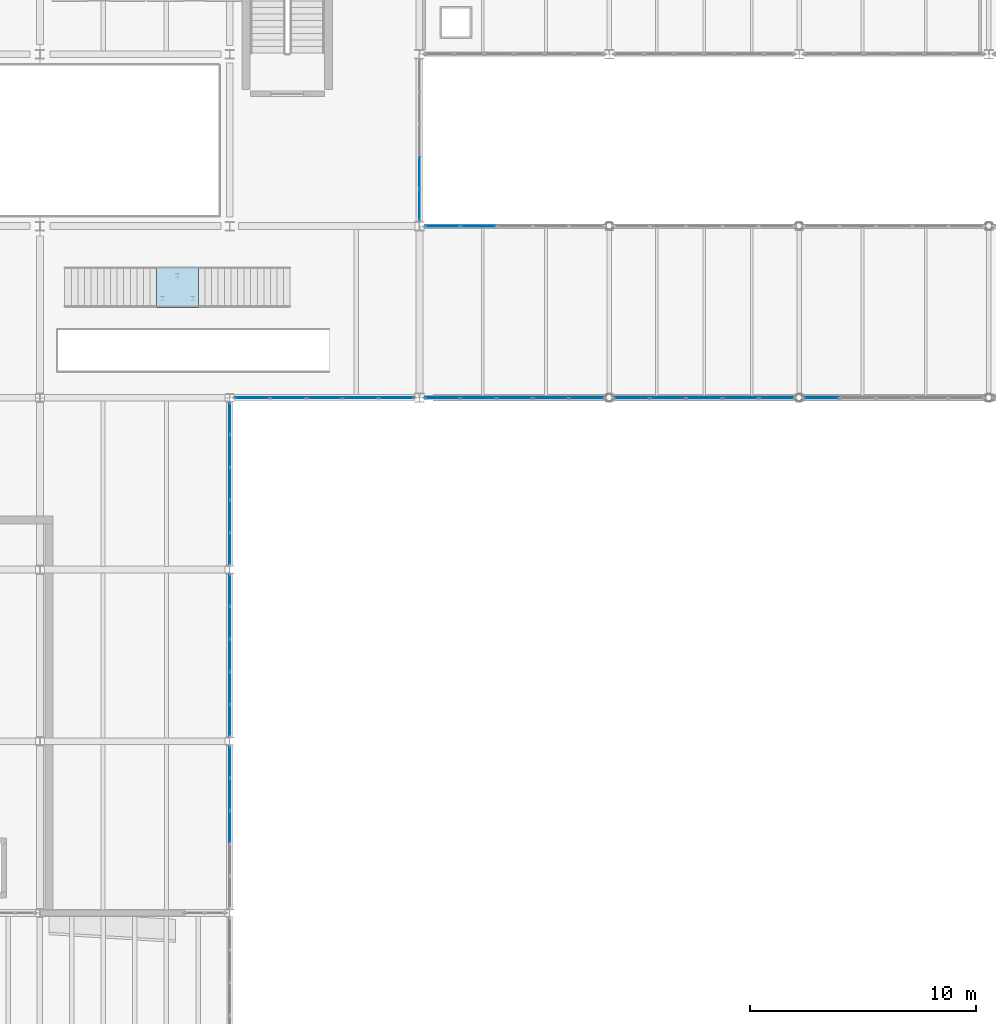
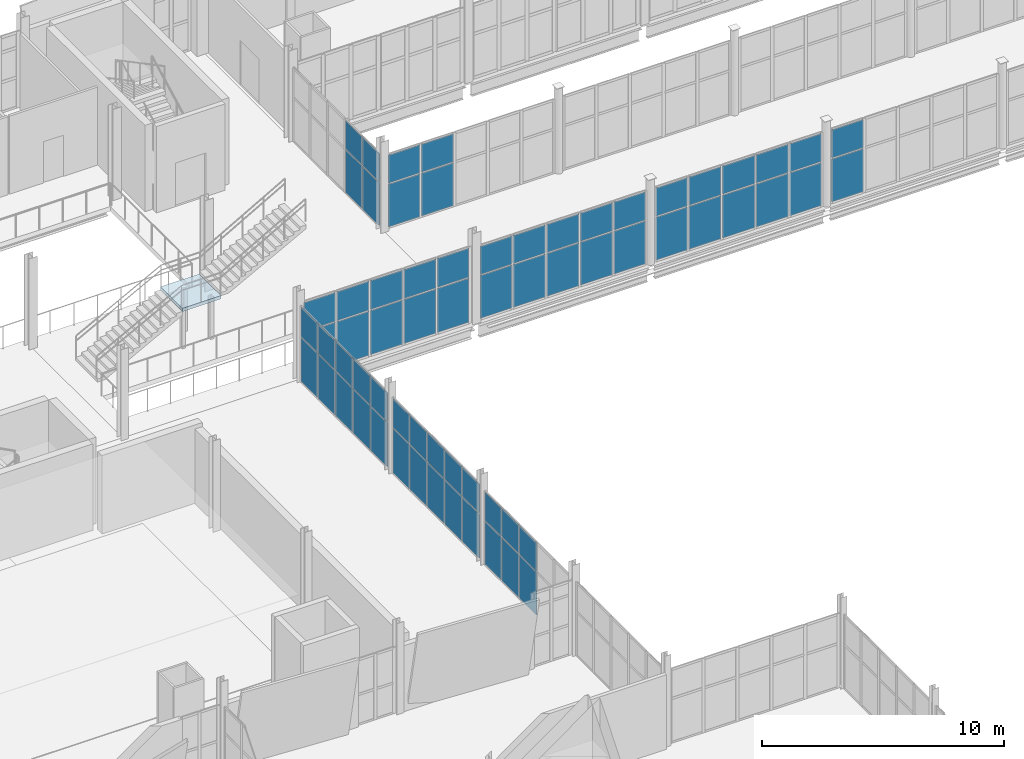
# One storey, part 129 of 172: 66 plates, 1 slab, 10 elements without a shape of their own.
"""IFC4 building model written with IfcOpenShell, lengths in metres."""

from ifc_helpers import new_model, si_unit, direction, frame, origin, origin_2d, place, context, subcontext, project, spatial, polyline, rectangle, outline, extrude, material, layer, layer_set, type_object, element, aggregate, save


model = new_model("IFC4")

# Units and contexts
model_context = context("Model", 3, precision=1e-05, world=origin(), true_north=direction((0.0, 1.0)))
body_context = subcontext(model_context, "Body", "Model", "MODEL_VIEW")
ifc_project = project(units=[si_unit("LENGTHUNIT", "METRE"), si_unit("AREAUNIT", "SQUARE_METRE"), si_unit("VOLUMEUNIT", "CUBIC_METRE"), si_unit("PLANEANGLEUNIT", "RADIAN"), si_unit("MASSUNIT", "GRAM", prefix="KILO")], contexts=[model_context])

# Site, building, storey
site_placement = place(None, origin())
site = spatial("IfcSite", under=ifc_project, at=site_placement, CompositionType="ELEMENT")
building_placement = place(site_placement, origin())
building = spatial("IfcBuilding", under=site, at=building_placement, Name="Shengluoqiao Park Theatre", CompositionType="ELEMENT")
storey_placement = place(building_placement, frame((0.0, 0.0, 5.39990234375)))
storey = spatial("IfcBuildingStorey", under=building, at=storey_placement, Name="L01", CompositionType="ELEMENT", Elevation=5.39990234375)

# Curtain wall, plates
ifc_material_1 = material(Name="Aluminium 6063-T6", Category="aluminium")
curtain_wall_type_1 = type_object("IfcCurtainWallType", Name="ENV-CW-COURT", PredefinedType="NOTDEFINED", material=ifc_material_1)
curtain_wall_1_placement = place(storey_placement, origin())
curtain_wall_1 = element("IfcCurtainWall", 1, at=curtain_wall_1_placement, inside=storey, type_object=curtain_wall_type_1, Name="L01 Curtain Wall CWX-L01-0020", PredefinedType="NOTDEFINED")
ifc_material_2 = material(Name="Insulated glass", Category="glass")
ifc_layer_1 = layer(ifc_material_2, 0.0380859375, Name="Insulated glass")
ifc_layer_set_1 = layer_set([ifc_layer_1], Name="Insulated glass")
plate_type = type_object("IfcPlateType", Name="ENV-GLZ-GL-38", PredefinedType="CURTAIN_PANEL", material=ifc_layer_set_1)
plate_1_placement = place(storey_placement, frame((36.0, 34.199951171875, 0.06005859375), z_axis=(0.0, 0.0, 1.0), x_axis=(0.0, 1.0, 0.0)))
plate_1 = element("IfcPlate", 2, at=plate_1_placement, type_object=plate_type, Name="CW-05 panel 3.1", PredefinedType="CURTAIN_PANEL", context=body_context, shape_type="SweptSolid", body=[
    extrude(rectangle(XDim=1.388427734375, YDim=0.0380859375, at=origin_2d()), origin(), (0.0, 0.0, 1.0), 2.159912109375),
])
plate_2_placement = place(storey_placement, frame((36.0, 34.199951171875, 2.2802734375), z_axis=(0.0, 0.0, 1.0), x_axis=(0.0, 1.0, 0.0)))
plate_2 = element("IfcPlate", 3, at=plate_2_placement, type_object=plate_type, Name="CW-05 panel 3.2", PredefinedType="CURTAIN_PANEL", context=body_context, shape_type="SweptSolid", body=[
    extrude(rectangle(XDim=1.388427734375, YDim=0.0380859375, at=origin_2d()), origin(), (0.0, 0.0, 1.0), 1.409912109375),
])
plate_3_placement = place(storey_placement, frame((36.0, 35.6484375, 0.06005859375), z_axis=(0.0, 0.0, 1.0), x_axis=(0.0, 1.0, 0.0)))
plate_3 = element("IfcPlate", 4, at=plate_3_placement, type_object=plate_type, Name="CW-05 panel 4.1", PredefinedType="CURTAIN_PANEL", context=body_context, shape_type="SweptSolid", body=[
    extrude(rectangle(XDim=1.388427734375, YDim=0.0380859375, at=origin_2d()), origin(), (0.0, 0.0, 1.0), 2.159912109375),
])
plate_4_placement = place(storey_placement, frame((36.0, 35.6484375, 2.2802734375), z_axis=(0.0, 0.0, 1.0), x_axis=(0.0, 1.0, 0.0)))
plate_4 = element("IfcPlate", 5, at=plate_4_placement, type_object=plate_type, Name="CW-05 panel 4.2", PredefinedType="CURTAIN_PANEL", context=body_context, shape_type="SweptSolid", body=[
    extrude(rectangle(XDim=1.388427734375, YDim=0.0380859375, at=origin_2d()), origin(), (0.0, 0.0, 1.0), 1.409912109375),
])
plate_5_placement = place(storey_placement, frame((36.0, 37.081787109375, 0.06005859375), z_axis=(0.0, 0.0, 1.0), x_axis=(0.0, 1.0, 0.0)))
plate_5 = element("IfcPlate", 6, at=plate_5_placement, type_object=plate_type, Name="CW-05 panel 5.1", PredefinedType="CURTAIN_PANEL", context=body_context, shape_type="SweptSolid", body=[
    extrude(rectangle(XDim=1.3583984375, YDim=0.0380859375, at=origin_2d()), origin(), (0.0, 0.0, 1.0), 2.159912109375),
])
plate_6_placement = place(storey_placement, frame((36.0, 37.081787109375, 2.2802734375), z_axis=(0.0, 0.0, 1.0), x_axis=(0.0, 1.0, 0.0)))
plate_6 = element("IfcPlate", 7, at=plate_6_placement, type_object=plate_type, Name="CW-05 panel 5.2", PredefinedType="CURTAIN_PANEL", context=body_context, shape_type="SweptSolid", body=[
    extrude(rectangle(XDim=1.3583984375, YDim=0.0380859375, at=origin_2d()), origin(), (0.0, 0.0, 1.0), 1.409912109375),
])
aggregate(curtain_wall_1, [plate_1, plate_2, plate_3, plate_4, plate_5, plate_6])

curtain_wall_2_placement = place(storey_placement, origin())
curtain_wall_2 = element("IfcCurtainWall", 8, at=curtain_wall_2_placement, inside=storey, type_object=curtain_wall_type_1, Name="L01 Curtain Wall CWX-L01-0021", PredefinedType="NOTDEFINED")
plate_7_placement = place(storey_placement, frame((36.0, 38.918212890625, 0.06005859375), z_axis=(0.0, 0.0, 1.0), x_axis=(0.0, 1.0, 0.0)))
plate_7 = element("IfcPlate", 9, at=plate_7_placement, type_object=plate_type, Name="CW-05 panel 1.1", PredefinedType="CURTAIN_PANEL", context=body_context, shape_type="SweptSolid", body=[
    extrude(rectangle(XDim=1.3583984375, YDim=0.0380859375, at=origin_2d()), origin(), (0.0, 0.0, 1.0), 2.219970703125),
])
plate_8_placement = place(storey_placement, frame((36.0, 38.918212890625, 2.34033203125), z_axis=(0.0, 0.0, 1.0), x_axis=(0.0, 1.0, 0.0)))
plate_8 = element("IfcPlate", 10, at=plate_8_placement, type_object=plate_type, Name="CW-05 panel 1.2", PredefinedType="CURTAIN_PANEL", context=body_context, shape_type="SweptSolid", body=[
    extrude(rectangle(XDim=1.3583984375, YDim=0.0380859375, at=origin_2d()), origin(), (0.0, 0.0, 1.0), 1.449951171875),
])
plate_9_placement = place(storey_placement, frame((36.0, 40.3515625, 0.06005859375), z_axis=(0.0, 0.0, 1.0), x_axis=(0.0, 1.0, 0.0)))
plate_9 = element("IfcPlate", 11, at=plate_9_placement, type_object=plate_type, Name="CW-05 panel 2.1", PredefinedType="CURTAIN_PANEL", context=body_context, shape_type="SweptSolid", body=[
    extrude(rectangle(XDim=1.388427734375, YDim=0.0380859375, at=origin_2d()), origin(), (0.0, 0.0, 1.0), 2.219970703125),
])
plate_10_placement = place(storey_placement, frame((36.0, 40.3515625, 2.34033203125), z_axis=(0.0, 0.0, 1.0), x_axis=(0.0, 1.0, 0.0)))
plate_10 = element("IfcPlate", 12, at=plate_10_placement, type_object=plate_type, Name="CW-05 panel 2.2", PredefinedType="CURTAIN_PANEL", context=body_context, shape_type="SweptSolid", body=[
    extrude(rectangle(XDim=1.388427734375, YDim=0.0380859375, at=origin_2d()), origin(), (0.0, 0.0, 1.0), 1.449951171875),
])
plate_11_placement = place(storey_placement, frame((36.0, 41.800048828125, 0.06005859375), z_axis=(0.0, 0.0, 1.0), x_axis=(0.0, 1.0, 0.0)))
plate_11 = element("IfcPlate", 13, at=plate_11_placement, type_object=plate_type, Name="CW-05 panel 3.1", PredefinedType="CURTAIN_PANEL", context=body_context, shape_type="SweptSolid", body=[
    extrude(rectangle(XDim=1.388427734375, YDim=0.0380859375, at=origin_2d()), origin(), (0.0, 0.0, 1.0), 2.219970703125),
])
plate_12_placement = place(storey_placement, frame((36.0, 41.800048828125, 2.34033203125), z_axis=(0.0, 0.0, 1.0), x_axis=(0.0, 1.0, 0.0)))
plate_12 = element("IfcPlate", 14, at=plate_12_placement, type_object=plate_type, Name="CW-05 panel 3.2", PredefinedType="CURTAIN_PANEL", context=body_context, shape_type="SweptSolid", body=[
    extrude(rectangle(XDim=1.388427734375, YDim=0.0380859375, at=origin_2d()), origin(), (0.0, 0.0, 1.0), 1.449951171875),
])
plate_13_placement = place(storey_placement, frame((36.0, 43.248291015625, 0.06005859375), z_axis=(0.0, 0.0, 1.0), x_axis=(0.0, 1.0, 0.0)))
plate_13 = element("IfcPlate", 15, at=plate_13_placement, type_object=plate_type, Name="CW-05 panel 4.1", PredefinedType="CURTAIN_PANEL", context=body_context, shape_type="SweptSolid", body=[
    extrude(rectangle(XDim=1.388427734375, YDim=0.0380859375, at=origin_2d()), origin(), (0.0, 0.0, 1.0), 2.219970703125),
])
plate_14_placement = place(storey_placement, frame((36.0, 43.248291015625, 2.34033203125), z_axis=(0.0, 0.0, 1.0), x_axis=(0.0, 1.0, 0.0)))
plate_14 = element("IfcPlate", 16, at=plate_14_placement, type_object=plate_type, Name="CW-05 panel 4.2", PredefinedType="CURTAIN_PANEL", context=body_context, shape_type="SweptSolid", body=[
    extrude(rectangle(XDim=1.388427734375, YDim=0.0380859375, at=origin_2d()), origin(), (0.0, 0.0, 1.0), 1.449951171875),
])
plate_15_placement = place(storey_placement, frame((36.0, 44.681884765625, 0.06005859375), z_axis=(0.0, 0.0, 1.0), x_axis=(0.0, 1.0, 0.0)))
plate_15 = element("IfcPlate", 17, at=plate_15_placement, type_object=plate_type, Name="CW-05 panel 5.1", PredefinedType="CURTAIN_PANEL", context=body_context, shape_type="SweptSolid", body=[
    extrude(rectangle(XDim=1.3583984375, YDim=0.0380859375, at=origin_2d()), origin(), (0.0, 0.0, 1.0), 2.219970703125),
])
plate_16_placement = place(storey_placement, frame((36.0, 44.681884765625, 2.34033203125), z_axis=(0.0, 0.0, 1.0), x_axis=(0.0, 1.0, 0.0)))
plate_16 = element("IfcPlate", 18, at=plate_16_placement, type_object=plate_type, Name="CW-05 panel 5.2", PredefinedType="CURTAIN_PANEL", context=body_context, shape_type="SweptSolid", body=[
    extrude(rectangle(XDim=1.3583984375, YDim=0.0380859375, at=origin_2d()), origin(), (0.0, 0.0, 1.0), 1.449951171875),
])
aggregate(curtain_wall_2, [plate_7, plate_8, plate_9, plate_10, plate_11, plate_12, plate_13, plate_14, plate_15, plate_16])

curtain_wall_3_placement = place(storey_placement, origin())
curtain_wall_3 = element("IfcCurtainWall", 19, at=curtain_wall_3_placement, inside=storey, type_object=curtain_wall_type_1, Name="L01 Curtain Wall CWX-L01-0022", PredefinedType="NOTDEFINED")
plate_17_placement = place(storey_placement, frame((36.0, 46.518310546875, 0.06005859375), z_axis=(0.0, 0.0, 1.0), x_axis=(0.0, 1.0, 0.0)))
plate_17 = element("IfcPlate", 20, at=plate_17_placement, type_object=plate_type, Name="CW-05 panel 1.1", PredefinedType="CURTAIN_PANEL", context=body_context, shape_type="SweptSolid", body=[
    extrude(rectangle(XDim=1.3583984375, YDim=0.0380859375, at=origin_2d()), origin(), (0.0, 0.0, 1.0), 2.219970703125),
])
plate_18_placement = place(storey_placement, frame((36.0, 46.518310546875, 2.34033203125), z_axis=(0.0, 0.0, 1.0), x_axis=(0.0, 1.0, 0.0)))
plate_18 = element("IfcPlate", 21, at=plate_18_placement, type_object=plate_type, Name="CW-05 panel 1.2", PredefinedType="CURTAIN_PANEL", context=body_context, shape_type="SweptSolid", body=[
    extrude(rectangle(XDim=1.3583984375, YDim=0.0380859375, at=origin_2d()), origin(), (0.0, 0.0, 1.0), 1.449951171875),
])
plate_19_placement = place(storey_placement, frame((36.0, 47.95166015625, 0.06005859375), z_axis=(0.0, 0.0, 1.0), x_axis=(0.0, 1.0, 0.0)))
plate_19 = element("IfcPlate", 22, at=plate_19_placement, type_object=plate_type, Name="CW-05 panel 2.1", PredefinedType="CURTAIN_PANEL", context=body_context, shape_type="SweptSolid", body=[
    extrude(rectangle(XDim=1.388427734375, YDim=0.0380859375, at=origin_2d()), origin(), (0.0, 0.0, 1.0), 2.219970703125),
])
plate_20_placement = place(storey_placement, frame((36.0, 47.95166015625, 2.34033203125), z_axis=(0.0, 0.0, 1.0), x_axis=(0.0, 1.0, 0.0)))
plate_20 = element("IfcPlate", 23, at=plate_20_placement, type_object=plate_type, Name="CW-05 panel 2.2", PredefinedType="CURTAIN_PANEL", context=body_context, shape_type="SweptSolid", body=[
    extrude(rectangle(XDim=1.388427734375, YDim=0.0380859375, at=origin_2d()), origin(), (0.0, 0.0, 1.0), 1.449951171875),
])
plate_21_placement = place(storey_placement, frame((36.0, 49.39990234375, 0.06005859375), z_axis=(0.0, 0.0, 1.0), x_axis=(0.0, 1.0, 0.0)))
plate_21 = element("IfcPlate", 24, at=plate_21_placement, type_object=plate_type, Name="CW-05 panel 3.1", PredefinedType="CURTAIN_PANEL", context=body_context, shape_type="SweptSolid", body=[
    extrude(rectangle(XDim=1.388427734375, YDim=0.0380859375, at=origin_2d()), origin(), (0.0, 0.0, 1.0), 2.219970703125),
])
plate_22_placement = place(storey_placement, frame((36.0, 49.39990234375, 2.34033203125), z_axis=(0.0, 0.0, 1.0), x_axis=(0.0, 1.0, 0.0)))
plate_22 = element("IfcPlate", 25, at=plate_22_placement, type_object=plate_type, Name="CW-05 panel 3.2", PredefinedType="CURTAIN_PANEL", context=body_context, shape_type="SweptSolid", body=[
    extrude(rectangle(XDim=1.388427734375, YDim=0.0380859375, at=origin_2d()), origin(), (0.0, 0.0, 1.0), 1.449951171875),
])
plate_23_placement = place(storey_placement, frame((36.0, 50.848388671875, 0.06005859375), z_axis=(0.0, 0.0, 1.0), x_axis=(0.0, 1.0, 0.0)))
plate_23 = element("IfcPlate", 26, at=plate_23_placement, type_object=plate_type, Name="CW-05 panel 4.1", PredefinedType="CURTAIN_PANEL", context=body_context, shape_type="SweptSolid", body=[
    extrude(rectangle(XDim=1.388427734375, YDim=0.0380859375, at=origin_2d()), origin(), (0.0, 0.0, 1.0), 2.219970703125),
])
plate_24_placement = place(storey_placement, frame((36.0, 50.848388671875, 2.34033203125), z_axis=(0.0, 0.0, 1.0), x_axis=(0.0, 1.0, 0.0)))
plate_24 = element("IfcPlate", 27, at=plate_24_placement, type_object=plate_type, Name="CW-05 panel 4.2", PredefinedType="CURTAIN_PANEL", context=body_context, shape_type="SweptSolid", body=[
    extrude(rectangle(XDim=1.388427734375, YDim=0.0380859375, at=origin_2d()), origin(), (0.0, 0.0, 1.0), 1.449951171875),
])
plate_25_placement = place(storey_placement, frame((36.0, 52.28173828125, 0.06005859375), z_axis=(0.0, 0.0, 1.0), x_axis=(0.0, 1.0, 0.0)))
plate_25 = element("IfcPlate", 28, at=plate_25_placement, type_object=plate_type, Name="CW-05 panel 5.1", PredefinedType="CURTAIN_PANEL", context=body_context, shape_type="SweptSolid", body=[
    extrude(rectangle(XDim=1.3583984375, YDim=0.0380859375, at=origin_2d()), origin(), (0.0, 0.0, 1.0), 2.219970703125),
])
plate_26_placement = place(storey_placement, frame((36.0, 52.28173828125, 2.34033203125), z_axis=(0.0, 0.0, 1.0), x_axis=(0.0, 1.0, 0.0)))
plate_26 = element("IfcPlate", 29, at=plate_26_placement, type_object=plate_type, Name="CW-05 panel 5.2", PredefinedType="CURTAIN_PANEL", context=body_context, shape_type="SweptSolid", body=[
    extrude(rectangle(XDim=1.3583984375, YDim=0.0380859375, at=origin_2d()), origin(), (0.0, 0.0, 1.0), 1.449951171875),
])
aggregate(curtain_wall_3, [plate_17, plate_18, plate_19, plate_20, plate_21, plate_22, plate_23, plate_24, plate_25, plate_26])

curtain_wall_type_2 = type_object("IfcCurtainWallType", Name="ENV-CW-BRIDGE", PredefinedType="NOTDEFINED", material=ifc_material_1)
curtain_wall_4_placement = place(storey_placement, origin())
curtain_wall_4 = element("IfcCurtainWall", 30, at=curtain_wall_4_placement, inside=storey, type_object=curtain_wall_type_2, Name="L01 Curtain Wall CWX-L01-0123", PredefinedType="NOTDEFINED")
plate_27_placement = place(storey_placement, frame((45.42041015625, 53.199951171875, 0.06005859375), z_axis=(0.0, 0.0, 1.0), x_axis=(1.0, 0.0, 0.0)))
plate_27 = element("IfcPlate", 31, at=plate_27_placement, type_object=plate_type, Name="CW-03 panel 1.1", PredefinedType="CURTAIN_PANEL", context=body_context, shape_type="SweptSolid", body=[
    extrude(rectangle(XDim=1.5126953125, YDim=0.0380859375, at=origin_2d()), origin(), (0.0, 0.0, 1.0), 2.155029296875),
])
plate_28_placement = place(storey_placement, frame((45.42041015625, 53.199951171875, 2.27490234375), z_axis=(0.0, 0.0, 1.0), x_axis=(1.0, 0.0, 0.0)))
plate_28 = element("IfcPlate", 32, at=plate_28_placement, type_object=plate_type, Name="CW-03 panel 1.2", PredefinedType="CURTAIN_PANEL", context=body_context, shape_type="SweptSolid", body=[
    extrude(rectangle(XDim=1.5126953125, YDim=0.0380859375, at=origin_2d()), origin(), (0.0, 0.0, 1.0), 1.406982421875),
])
plate_29_placement = place(storey_placement, frame((47.00830078125, 53.199951171875, 0.06005859375), z_axis=(0.0, 0.0, 1.0), x_axis=(1.0, 0.0, 0.0)))
plate_29 = element("IfcPlate", 33, at=plate_29_placement, type_object=plate_type, Name="CW-03 panel 2.1", PredefinedType="CURTAIN_PANEL", context=body_context, shape_type="SweptSolid", body=[
    extrude(rectangle(XDim=1.542724609375, YDim=0.0380859375, at=origin_2d()), origin(), (0.0, 0.0, 1.0), 2.155029296875),
])
plate_30_placement = place(storey_placement, frame((47.00830078125, 53.199951171875, 2.27490234375), z_axis=(0.0, 0.0, 1.0), x_axis=(1.0, 0.0, 0.0)))
plate_30 = element("IfcPlate", 34, at=plate_30_placement, type_object=plate_type, Name="CW-03 panel 2.2", PredefinedType="CURTAIN_PANEL", context=body_context, shape_type="SweptSolid", body=[
    extrude(rectangle(XDim=1.542724609375, YDim=0.0380859375, at=origin_2d()), origin(), (0.0, 0.0, 1.0), 1.406982421875),
])
plate_31_placement = place(storey_placement, frame((48.611083984375, 53.199951171875, 0.06005859375), z_axis=(0.0, 0.0, 1.0), x_axis=(1.0, 0.0, 0.0)))
plate_31 = element("IfcPlate", 35, at=plate_31_placement, type_object=plate_type, Name="CW-03 panel 3.1", PredefinedType="CURTAIN_PANEL", context=body_context, shape_type="SweptSolid", body=[
    extrude(rectangle(XDim=1.542724609375, YDim=0.0380859375, at=origin_2d()), origin(), (0.0, 0.0, 1.0), 2.155029296875),
])
plate_32_placement = place(storey_placement, frame((48.611083984375, 53.199951171875, 2.27490234375), z_axis=(0.0, 0.0, 1.0), x_axis=(1.0, 0.0, 0.0)))
plate_32 = element("IfcPlate", 36, at=plate_32_placement, type_object=plate_type, Name="CW-03 panel 3.2", PredefinedType="CURTAIN_PANEL", context=body_context, shape_type="SweptSolid", body=[
    extrude(rectangle(XDim=1.542724609375, YDim=0.0380859375, at=origin_2d()), origin(), (0.0, 0.0, 1.0), 1.406982421875),
])
plate_33_placement = place(storey_placement, frame((50.2138671875, 53.199951171875, 0.06005859375), z_axis=(0.0, 0.0, 1.0), x_axis=(1.0, 0.0, 0.0)))
plate_33 = element("IfcPlate", 37, at=plate_33_placement, type_object=plate_type, Name="CW-03 panel 4.1", PredefinedType="CURTAIN_PANEL", context=body_context, shape_type="SweptSolid", body=[
    extrude(rectangle(XDim=1.542724609375, YDim=0.0380859375, at=origin_2d()), origin(), (0.0, 0.0, 1.0), 2.155029296875),
])
plate_34_placement = place(storey_placement, frame((50.2138671875, 53.199951171875, 2.27490234375), z_axis=(0.0, 0.0, 1.0), x_axis=(1.0, 0.0, 0.0)))
plate_34 = element("IfcPlate", 38, at=plate_34_placement, type_object=plate_type, Name="CW-03 panel 4.2", PredefinedType="CURTAIN_PANEL", context=body_context, shape_type="SweptSolid", body=[
    extrude(rectangle(XDim=1.542724609375, YDim=0.0380859375, at=origin_2d()), origin(), (0.0, 0.0, 1.0), 1.406982421875),
])
plate_35_placement = place(storey_placement, frame((51.801513671875, 53.199951171875, 0.06005859375), z_axis=(0.0, 0.0, 1.0), x_axis=(1.0, 0.0, 0.0)))
plate_35 = element("IfcPlate", 39, at=plate_35_placement, type_object=plate_type, Name="CW-03 panel 5.1", PredefinedType="CURTAIN_PANEL", context=body_context, shape_type="SweptSolid", body=[
    extrude(rectangle(XDim=1.5126953125, YDim=0.0380859375, at=origin_2d()), origin(), (0.0, 0.0, 1.0), 2.155029296875),
])
plate_36_placement = place(storey_placement, frame((51.801513671875, 53.199951171875, 2.27490234375), z_axis=(0.0, 0.0, 1.0), x_axis=(1.0, 0.0, 0.0)))
plate_36 = element("IfcPlate", 40, at=plate_36_placement, type_object=plate_type, Name="CW-03 panel 5.2", PredefinedType="CURTAIN_PANEL", context=body_context, shape_type="SweptSolid", body=[
    extrude(rectangle(XDim=1.5126953125, YDim=0.0380859375, at=origin_2d()), origin(), (0.0, 0.0, 1.0), 1.406982421875),
])
aggregate(curtain_wall_4, [plate_27, plate_28, plate_29, plate_30, plate_31, plate_32, plate_33, plate_34, plate_35, plate_36])

curtain_wall_5_placement = place(storey_placement, origin())
curtain_wall_5 = element("IfcCurtainWall", 41, at=curtain_wall_5_placement, inside=storey, type_object=curtain_wall_type_2, Name="L01 Curtain Wall CWX-L01-0124", PredefinedType="NOTDEFINED")
plate_37_placement = place(storey_placement, frame((53.800537109375, 53.199951171875, 0.06005859375), z_axis=(0.0, 0.0, 1.0), x_axis=(1.0, 0.0, 0.0)))
plate_37 = element("IfcPlate", 42, at=plate_37_placement, type_object=plate_type, Name="CW-03 panel 1.1", PredefinedType="CURTAIN_PANEL", context=body_context, shape_type="SweptSolid", body=[
    extrude(rectangle(XDim=1.51708984375, YDim=0.0380859375, at=origin_2d()), origin(), (0.0, 0.0, 1.0), 2.160888671875),
])
plate_38_placement = place(storey_placement, frame((53.800537109375, 53.199951171875, 2.28125), z_axis=(0.0, 0.0, 1.0), x_axis=(1.0, 0.0, 0.0)))
plate_38 = element("IfcPlate", 43, at=plate_38_placement, type_object=plate_type, Name="CW-03 panel 1.2", PredefinedType="CURTAIN_PANEL", context=body_context, shape_type="SweptSolid", body=[
    extrude(rectangle(XDim=1.51708984375, YDim=0.0380859375, at=origin_2d()), origin(), (0.0, 0.0, 1.0), 1.410888671875),
])
plate_39_placement = place(storey_placement, frame((55.392822265625, 53.199951171875, 0.06005859375), z_axis=(0.0, 0.0, 1.0), x_axis=(1.0, 0.0, 0.0)))
plate_39 = element("IfcPlate", 44, at=plate_39_placement, type_object=plate_type, Name="CW-03 panel 2.1", PredefinedType="CURTAIN_PANEL", context=body_context, shape_type="SweptSolid", body=[
    extrude(rectangle(XDim=1.547119140625, YDim=0.0380859375, at=origin_2d()), origin(), (0.0, 0.0, 1.0), 2.160888671875),
])
plate_40_placement = place(storey_placement, frame((55.392822265625, 53.199951171875, 2.28125), z_axis=(0.0, 0.0, 1.0), x_axis=(1.0, 0.0, 0.0)))
plate_40 = element("IfcPlate", 45, at=plate_40_placement, type_object=plate_type, Name="CW-03 panel 2.2", PredefinedType="CURTAIN_PANEL", context=body_context, shape_type="SweptSolid", body=[
    extrude(rectangle(XDim=1.547119140625, YDim=0.0380859375, at=origin_2d()), origin(), (0.0, 0.0, 1.0), 1.410888671875),
])
plate_41_placement = place(storey_placement, frame((57.0, 53.199951171875, 0.06005859375), z_axis=(0.0, 0.0, 1.0), x_axis=(1.0, 0.0, 0.0)))
plate_41 = element("IfcPlate", 46, at=plate_41_placement, type_object=plate_type, Name="CW-03 panel 3.1", PredefinedType="CURTAIN_PANEL", context=body_context, shape_type="SweptSolid", body=[
    extrude(rectangle(XDim=1.547119140625, YDim=0.0380859375, at=origin_2d()), origin(), (0.0, 0.0, 1.0), 2.160888671875),
])
plate_42_placement = place(storey_placement, frame((57.0, 53.199951171875, 2.28125), z_axis=(0.0, 0.0, 1.0), x_axis=(1.0, 0.0, 0.0)))
plate_42 = element("IfcPlate", 47, at=plate_42_placement, type_object=plate_type, Name="CW-03 panel 3.2", PredefinedType="CURTAIN_PANEL", context=body_context, shape_type="SweptSolid", body=[
    extrude(rectangle(XDim=1.547119140625, YDim=0.0380859375, at=origin_2d()), origin(), (0.0, 0.0, 1.0), 1.410888671875),
])
plate_43_placement = place(storey_placement, frame((58.607177734375, 53.199951171875, 0.06005859375), z_axis=(0.0, 0.0, 1.0), x_axis=(1.0, 0.0, 0.0)))
plate_43 = element("IfcPlate", 48, at=plate_43_placement, type_object=plate_type, Name="CW-03 panel 4.1", PredefinedType="CURTAIN_PANEL", context=body_context, shape_type="SweptSolid", body=[
    extrude(rectangle(XDim=1.547119140625, YDim=0.0380859375, at=origin_2d()), origin(), (0.0, 0.0, 1.0), 2.160888671875),
])
plate_44_placement = place(storey_placement, frame((58.607177734375, 53.199951171875, 2.28125), z_axis=(0.0, 0.0, 1.0), x_axis=(1.0, 0.0, 0.0)))
plate_44 = element("IfcPlate", 49, at=plate_44_placement, type_object=plate_type, Name="CW-03 panel 4.2", PredefinedType="CURTAIN_PANEL", context=body_context, shape_type="SweptSolid", body=[
    extrude(rectangle(XDim=1.547119140625, YDim=0.0380859375, at=origin_2d()), origin(), (0.0, 0.0, 1.0), 1.410888671875),
])
plate_45_placement = place(storey_placement, frame((60.199462890625, 53.199951171875, 0.06005859375), z_axis=(0.0, 0.0, 1.0), x_axis=(1.0, 0.0, 0.0)))
plate_45 = element("IfcPlate", 50, at=plate_45_placement, type_object=plate_type, Name="CW-03 panel 5.1", PredefinedType="CURTAIN_PANEL", context=body_context, shape_type="SweptSolid", body=[
    extrude(rectangle(XDim=1.51708984375, YDim=0.0380859375, at=origin_2d()), origin(), (0.0, 0.0, 1.0), 2.160888671875),
])
plate_46_placement = place(storey_placement, frame((60.199462890625, 53.199951171875, 2.28125), z_axis=(0.0, 0.0, 1.0), x_axis=(1.0, 0.0, 0.0)))
plate_46 = element("IfcPlate", 51, at=plate_46_placement, type_object=plate_type, Name="CW-03 panel 5.2", PredefinedType="CURTAIN_PANEL", context=body_context, shape_type="SweptSolid", body=[
    extrude(rectangle(XDim=1.51708984375, YDim=0.0380859375, at=origin_2d()), origin(), (0.0, 0.0, 1.0), 1.410888671875),
])
aggregate(curtain_wall_5, [plate_37, plate_38, plate_39, plate_40, plate_41, plate_42, plate_43, plate_44, plate_45, plate_46])

curtain_wall_6_placement = place(storey_placement, origin())
curtain_wall_6 = element("IfcCurtainWall", 52, at=curtain_wall_6_placement, inside=storey, type_object=curtain_wall_type_2, Name="L01 Curtain Wall CWX-L01-0125", PredefinedType="NOTDEFINED")
plate_47_placement = place(storey_placement, frame((62.20068359375, 53.199951171875, 0.06005859375), z_axis=(0.0, 0.0, 1.0), x_axis=(1.0, 0.0, 0.0)))
plate_47 = element("IfcPlate", 53, at=plate_47_placement, type_object=plate_type, Name="CW-03 panel 1.1", PredefinedType="CURTAIN_PANEL", context=body_context, shape_type="SweptSolid", body=[
    extrude(rectangle(XDim=1.51708984375, YDim=0.0380859375, at=origin_2d()), origin(), (0.0, 0.0, 1.0), 2.160888671875),
])
plate_48_placement = place(storey_placement, frame((62.20068359375, 53.199951171875, 2.28125), z_axis=(0.0, 0.0, 1.0), x_axis=(1.0, 0.0, 0.0)))
plate_48 = element("IfcPlate", 54, at=plate_48_placement, type_object=plate_type, Name="CW-03 panel 1.2", PredefinedType="CURTAIN_PANEL", context=body_context, shape_type="SweptSolid", body=[
    extrude(rectangle(XDim=1.51708984375, YDim=0.0380859375, at=origin_2d()), origin(), (0.0, 0.0, 1.0), 1.410888671875),
])
aggregate(curtain_wall_6, [plate_47, plate_48])

curtain_wall_7_placement = place(storey_placement, origin())
curtain_wall_7 = element("IfcCurtainWall", 55, at=curtain_wall_7_placement, inside=storey, type_object=curtain_wall_type_2, Name="L01 Curtain Wall CWX-L01-0136", PredefinedType="NOTDEFINED")
plate_49_placement = place(storey_placement, frame((45.42041015625, 60.800048828125, 0.06005859375), z_axis=(0.0, 0.0, 1.0), x_axis=(1.0, 0.0, 0.0)))
plate_49 = element("IfcPlate", 56, at=plate_49_placement, type_object=plate_type, Name="CW-03 panel 1.1", PredefinedType="CURTAIN_PANEL", context=body_context, shape_type="SweptSolid", body=[
    extrude(rectangle(XDim=1.5126953125, YDim=0.0380859375, at=origin_2d()), origin(), (0.0, 0.0, 1.0), 2.155029296875),
])
plate_50_placement = place(storey_placement, frame((45.42041015625, 60.800048828125, 2.27490234375), z_axis=(0.0, 0.0, 1.0), x_axis=(1.0, 0.0, 0.0)))
plate_50 = element("IfcPlate", 57, at=plate_50_placement, type_object=plate_type, Name="CW-03 panel 1.2", PredefinedType="CURTAIN_PANEL", context=body_context, shape_type="SweptSolid", body=[
    extrude(rectangle(XDim=1.5126953125, YDim=0.0380859375, at=origin_2d()), origin(), (0.0, 0.0, 1.0), 1.406982421875),
])
plate_51_placement = place(storey_placement, frame((47.00830078125, 60.800048828125, 0.06005859375), z_axis=(0.0, 0.0, 1.0), x_axis=(1.0, 0.0, 0.0)))
plate_51 = element("IfcPlate", 58, at=plate_51_placement, type_object=plate_type, Name="CW-03 panel 2.1", PredefinedType="CURTAIN_PANEL", context=body_context, shape_type="SweptSolid", body=[
    extrude(rectangle(XDim=1.542724609375, YDim=0.0380859375, at=origin_2d()), origin(), (0.0, 0.0, 1.0), 2.155029296875),
])
plate_52_placement = place(storey_placement, frame((47.00830078125, 60.800048828125, 2.27490234375), z_axis=(0.0, 0.0, 1.0), x_axis=(1.0, 0.0, 0.0)))
plate_52 = element("IfcPlate", 59, at=plate_52_placement, type_object=plate_type, Name="CW-03 panel 2.2", PredefinedType="CURTAIN_PANEL", context=body_context, shape_type="SweptSolid", body=[
    extrude(rectangle(XDim=1.542724609375, YDim=0.0380859375, at=origin_2d()), origin(), (0.0, 0.0, 1.0), 1.406982421875),
])
aggregate(curtain_wall_7, [plate_49, plate_50, plate_51, plate_52])

curtain_wall_type_3 = type_object("IfcCurtainWallType", Name="ENV-CW-FOYER", PredefinedType="NOTDEFINED", material=ifc_material_1)
curtain_wall_8_placement = place(storey_placement, origin())
curtain_wall_8 = element("IfcCurtainWall", 60, at=curtain_wall_8_placement, inside=storey, type_object=curtain_wall_type_3, Name="L01 Curtain Wall CWX-L01-0212", PredefinedType="NOTDEFINED")
plate_53_placement = place(storey_placement, frame((36.99560546875, 53.199951171875, 0.06005859375), z_axis=(0.0, 0.0, 1.0), x_axis=(1.0, 0.0, 0.0)))
plate_53 = element("IfcPlate", 61, at=plate_53_placement, type_object=plate_type, Name="CW-01 panel 1.1", PredefinedType="CURTAIN_PANEL", context=body_context, shape_type="SweptSolid", body=[
    extrude(rectangle(XDim=1.513427734375, YDim=0.0380859375, at=origin_2d()), origin(), (0.0, 0.0, 1.0), 2.219970703125),
])
plate_54_placement = place(storey_placement, frame((36.99560546875, 53.199951171875, 2.34033203125), z_axis=(0.0, 0.0, 1.0), x_axis=(1.0, 0.0, 0.0)))
plate_54 = element("IfcPlate", 62, at=plate_54_placement, type_object=plate_type, Name="CW-01 panel 1.2", PredefinedType="CURTAIN_PANEL", context=body_context, shape_type="SweptSolid", body=[
    extrude(rectangle(XDim=1.513427734375, YDim=0.0380859375, at=origin_2d()), origin(), (0.0, 0.0, 1.0), 1.449951171875),
])
plate_55_placement = place(storey_placement, frame((38.583984375, 53.199951171875, 0.06005859375), z_axis=(0.0, 0.0, 1.0), x_axis=(1.0, 0.0, 0.0)))
plate_55 = element("IfcPlate", 63, at=plate_55_placement, type_object=plate_type, Name="CW-01 panel 2.1", PredefinedType="CURTAIN_PANEL", context=body_context, shape_type="SweptSolid", body=[
    extrude(rectangle(XDim=1.54345703125, YDim=0.0380859375, at=origin_2d()), origin(), (0.0, 0.0, 1.0), 2.219970703125),
])
plate_56_placement = place(storey_placement, frame((38.583984375, 53.199951171875, 2.34033203125), z_axis=(0.0, 0.0, 1.0), x_axis=(1.0, 0.0, 0.0)))
plate_56 = element("IfcPlate", 64, at=plate_56_placement, type_object=plate_type, Name="CW-01 panel 2.2", PredefinedType="CURTAIN_PANEL", context=body_context, shape_type="SweptSolid", body=[
    extrude(rectangle(XDim=1.54345703125, YDim=0.0380859375, at=origin_2d()), origin(), (0.0, 0.0, 1.0), 1.449951171875),
])
plate_57_placement = place(storey_placement, frame((40.1875, 53.199951171875, 0.06005859375), z_axis=(0.0, 0.0, 1.0), x_axis=(1.0, 0.0, 0.0)))
plate_57 = element("IfcPlate", 65, at=plate_57_placement, type_object=plate_type, Name="CW-01 panel 3.1", PredefinedType="CURTAIN_PANEL", context=body_context, shape_type="SweptSolid", body=[
    extrude(rectangle(XDim=1.54345703125, YDim=0.0380859375, at=origin_2d()), origin(), (0.0, 0.0, 1.0), 2.219970703125),
])
plate_58_placement = place(storey_placement, frame((40.1875, 53.199951171875, 2.34033203125), z_axis=(0.0, 0.0, 1.0), x_axis=(1.0, 0.0, 0.0)))
plate_58 = element("IfcPlate", 66, at=plate_58_placement, type_object=plate_type, Name="CW-01 panel 3.2", PredefinedType="CURTAIN_PANEL", context=body_context, shape_type="SweptSolid", body=[
    extrude(rectangle(XDim=1.54345703125, YDim=0.0380859375, at=origin_2d()), origin(), (0.0, 0.0, 1.0), 1.449951171875),
])
plate_59_placement = place(storey_placement, frame((41.791015625, 53.199951171875, 0.06005859375), z_axis=(0.0, 0.0, 1.0), x_axis=(1.0, 0.0, 0.0)))
plate_59 = element("IfcPlate", 67, at=plate_59_placement, type_object=plate_type, Name="CW-01 panel 4.1", PredefinedType="CURTAIN_PANEL", context=body_context, shape_type="SweptSolid", body=[
    extrude(rectangle(XDim=1.54345703125, YDim=0.0380859375, at=origin_2d()), origin(), (0.0, 0.0, 1.0), 2.219970703125),
])
plate_60_placement = place(storey_placement, frame((41.791015625, 53.199951171875, 2.34033203125), z_axis=(0.0, 0.0, 1.0), x_axis=(1.0, 0.0, 0.0)))
plate_60 = element("IfcPlate", 68, at=plate_60_placement, type_object=plate_type, Name="CW-01 panel 4.2", PredefinedType="CURTAIN_PANEL", context=body_context, shape_type="SweptSolid", body=[
    extrude(rectangle(XDim=1.54345703125, YDim=0.0380859375, at=origin_2d()), origin(), (0.0, 0.0, 1.0), 1.449951171875),
])
plate_61_placement = place(storey_placement, frame((43.37939453125, 53.199951171875, 0.06005859375), z_axis=(0.0, 0.0, 1.0), x_axis=(1.0, 0.0, 0.0)))
plate_61 = element("IfcPlate", 69, at=plate_61_placement, type_object=plate_type, Name="CW-01 panel 5.1", PredefinedType="CURTAIN_PANEL", context=body_context, shape_type="SweptSolid", body=[
    extrude(rectangle(XDim=1.513427734375, YDim=0.0380859375, at=origin_2d()), origin(), (0.0, 0.0, 1.0), 2.219970703125),
])
plate_62_placement = place(storey_placement, frame((43.37939453125, 53.199951171875, 2.34033203125), z_axis=(0.0, 0.0, 1.0), x_axis=(1.0, 0.0, 0.0)))
plate_62 = element("IfcPlate", 70, at=plate_62_placement, type_object=plate_type, Name="CW-01 panel 5.2", PredefinedType="CURTAIN_PANEL", context=body_context, shape_type="SweptSolid", body=[
    extrude(rectangle(XDim=1.513427734375, YDim=0.0380859375, at=origin_2d()), origin(), (0.0, 0.0, 1.0), 1.449951171875),
])
aggregate(curtain_wall_8, [plate_53, plate_54, plate_55, plate_56, plate_57, plate_58, plate_59, plate_60, plate_61, plate_62])

curtain_wall_9_placement = place(storey_placement, origin())
curtain_wall_9 = element("IfcCurtainWall", 71, at=curtain_wall_9_placement, inside=storey, type_object=curtain_wall_type_1, Name="L01 Curtain Wall CWX-L01-0213", PredefinedType="NOTDEFINED")
plate_63_placement = place(storey_placement, frame((44.39990234375, 61.73828125, 0.06005859375), z_axis=(0.0, 0.0, 1.0), x_axis=(0.0, 1.0, 0.0)))
plate_63 = element("IfcPlate", 72, at=plate_63_placement, type_object=plate_type, Name="CW-05 panel 1.1", PredefinedType="CURTAIN_PANEL", context=body_context, shape_type="SweptSolid", body=[
    extrude(rectangle(XDim=1.348388671875, YDim=0.0380859375, at=origin_2d()), origin(), (0.0, 0.0, 1.0), 2.155029296875),
])
plate_64_placement = place(storey_placement, frame((44.39990234375, 61.73828125, 2.27490234375), z_axis=(0.0, 0.0, 1.0), x_axis=(0.0, 1.0, 0.0)))
plate_64 = element("IfcPlate", 73, at=plate_64_placement, type_object=plate_type, Name="CW-05 panel 1.2", PredefinedType="CURTAIN_PANEL", context=body_context, shape_type="SweptSolid", body=[
    extrude(rectangle(XDim=1.348388671875, YDim=0.0380859375, at=origin_2d()), origin(), (0.0, 0.0, 1.0), 1.406982421875),
])
plate_65_placement = place(storey_placement, frame((44.39990234375, 63.16162109375, 0.06005859375), z_axis=(0.0, 0.0, 1.0), x_axis=(0.0, 1.0, 0.0)))
plate_65 = element("IfcPlate", 74, at=plate_65_placement, type_object=plate_type, Name="CW-05 panel 2.1", PredefinedType="CURTAIN_PANEL", context=body_context, shape_type="SweptSolid", body=[
    extrude(rectangle(XDim=1.37841796875, YDim=0.0380859375, at=origin_2d()), origin(), (0.0, 0.0, 1.0), 2.155029296875),
])
plate_66_placement = place(storey_placement, frame((44.39990234375, 63.16162109375, 2.27490234375), z_axis=(0.0, 0.0, 1.0), x_axis=(0.0, 1.0, 0.0)))
plate_66 = element("IfcPlate", 75, at=plate_66_placement, type_object=plate_type, Name="CW-05 panel 2.2", PredefinedType="CURTAIN_PANEL", context=body_context, shape_type="SweptSolid", body=[
    extrude(rectangle(XDim=1.37841796875, YDim=0.0380859375, at=origin_2d()), origin(), (0.0, 0.0, 1.0), 1.406982421875),
])
aggregate(curtain_wall_9, [plate_63, plate_64, plate_65, plate_66])

# Stair, slab
ifc_material_3 = material(Name="Steel Q355", Category="steel")
stair_type = type_object("IfcStairType", Name="INT-STR-ST-F180", PredefinedType="STRAIGHT_RUN_STAIR", material=ifc_material_3)
stair_placement = place(storey_placement, origin())
stair = element("IfcStair", 76, at=stair_placement, inside=storey, type_object=stair_type, Name="Main Foyer Feature Stair 07 Upper", PredefinedType="STRAIGHT_RUN_STAIR")
ifc_material_4 = material(Name="Concrete C40", Category="concrete")
ifc_layer_2 = layer(ifc_material_4, 0.169921875, Name="Concrete C40")
ifc_layer_set_2 = layer_set([ifc_layer_2], Name="Concrete C40")
slab_type = type_object("IfcSlabType", Name="INT-LND-SL-170", PredefinedType="LANDING", material=ifc_layer_set_2)
slab_placement = place(storey_placement, frame((0.0, 0.0, 2.130126953125)))
slab = element("IfcSlab", 77, at=slab_placement, type_object=slab_type, Name="ST-07 landing 1", PredefinedType="LANDING", context=body_context, shape_type="SweptSolid", body=[
    extrude(outline(polyline([(32.760009765625, 57.199951171875), (34.610107421875, 57.199951171875), (34.610107421875, 59.0), (32.760009765625, 59.0), (32.760009765625, 57.199951171875)])), origin(), (0.0, 0.0, 1.0), 0.169921875),
])
aggregate(stair, [slab])

save(model, "model.ifc")
